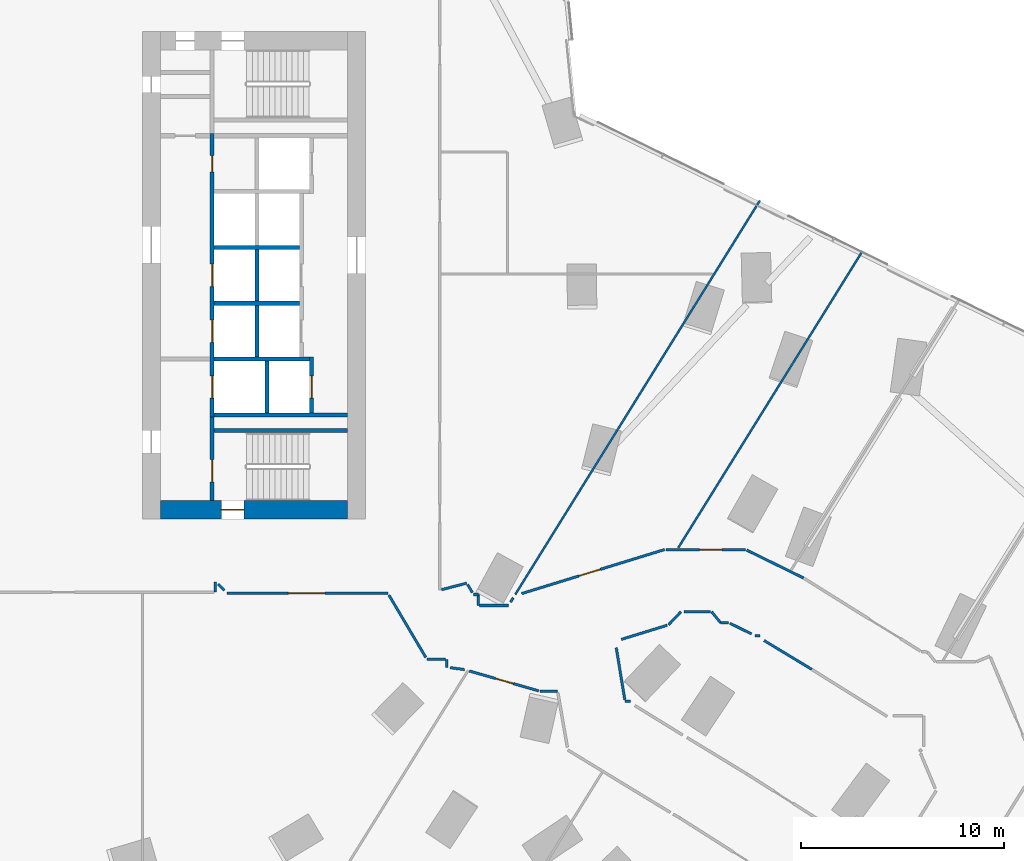
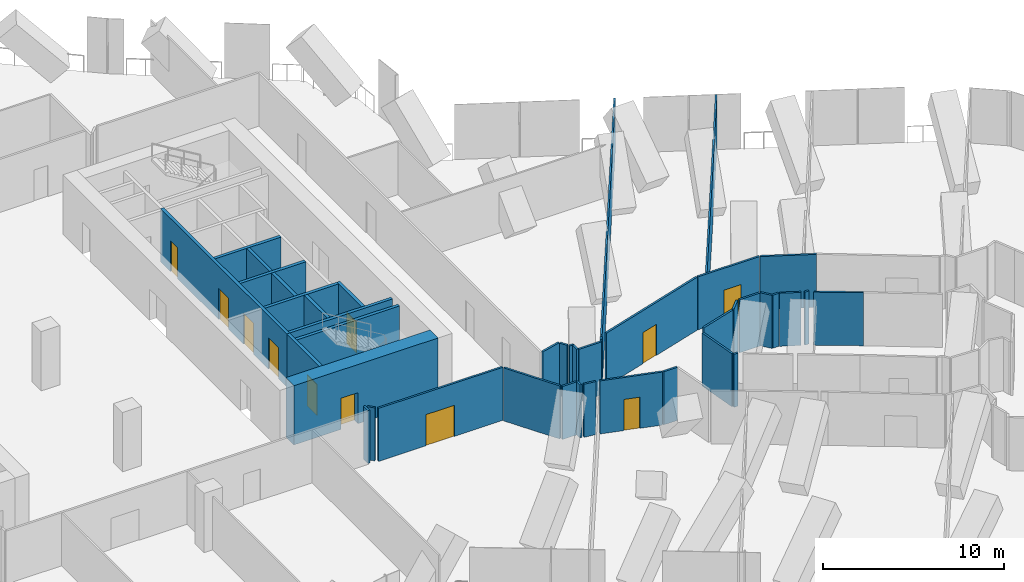
# One storey, part 26 of 31: 42 walls, 11 doors, 11 openings.
"""IFC4 building model written with IfcOpenShell, lengths in metres."""

from ifc_helpers import new_model, si_unit, direction, frame, frame_2d, origin, place, context, subcontext, project, spatial, rectangle, extrude, material, layer, layer_set, type_object, element, fill, save


model = new_model("IFC4")

# Units and contexts
model_context = context("Model", 3, precision=1e-05, world=origin(), true_north=direction((0.0, 1.0)))
body_context = subcontext(model_context, "Body", "Model", "MODEL_VIEW")
ifc_project = project(units=[si_unit("LENGTHUNIT", "METRE"), si_unit("AREAUNIT", "SQUARE_METRE"), si_unit("VOLUMEUNIT", "CUBIC_METRE"), si_unit("PLANEANGLEUNIT", "RADIAN"), si_unit("MASSUNIT", "GRAM", prefix="KILO")], contexts=[model_context])

# Site, building, storey
site_placement = place(None, origin())
site = spatial("IfcSite", under=ifc_project, at=site_placement, CompositionType="ELEMENT")
building_placement = place(site_placement, origin())
building = spatial("IfcBuilding", under=site, at=building_placement, Name="Orlundy Tower", CompositionType="ELEMENT")
storey_placement = place(building_placement, frame((0.0, 0.0, 54.800048828125)))
storey = spatial("IfcBuildingStorey", under=building, at=storey_placement, Name="L12", CompositionType="ELEMENT", Elevation=54.800048828125)

# Wall, opening, door
ifc_material_1 = material(Name="Concrete C80/95", Category="concrete")
ifc_layer_1 = layer(ifc_material_1, 0.89990234375)
ifc_layer_set_1 = layer_set([ifc_layer_1], Name="CORE WALL 900 C80/95")
wall_type_1 = type_object("IfcWallType", Name="CORE WALL 900 C80/95", PredefinedType="SHEAR", material=ifc_layer_set_1)
wall_1_placement = place(storey_placement, frame((8.89990234375, -11.550048828125, 0.0), z_axis=(0.0, 0.0, 1.0), x_axis=(1.0, 0.0, 0.0)))
wall_1 = element("IfcWall", 1, at=wall_1_placement, inside=storey, type_object=wall_type_1, Name="Core wall E-S L12", PredefinedType="SHEAR", context=body_context, shape_type="SweptSolid", body=[
    extrude(rectangle(XDim=9.2001953125, YDim=0.89990234375, at=frame_2d((4.60009765625, 0.0))), origin(), (0.0, 0.0, 1.0), 4.0),
])
opening_1_placement = place(wall_1_placement, frame((3.0, 0.0, 0.0)))
opening_1 = element("IfcOpeningElement", 2, at=opening_1_placement, cuts=wall_1, Name="Opening 11061", PredefinedType="OPENING", context=body_context, shape_type="SweptSolid", body=[
    extrude(rectangle(XDim=1.10009765625, YDim=2.10009765625, at=frame_2d((0.550048828125, 1.050048828125))), frame((0.0, 0.4599609375, 0.0), z_axis=(0.0, -1.0, 0.0), x_axis=(1.0, 0.0, 0.0)), (0.0, 0.0, 1.0), 0.919921875),
])
ifc_material_2 = material(Name="Steel door set", Category="steel")
door_type_1 = type_object("IfcDoorType", Name="Stair Door 1100x2100", OperationType="SINGLE_SWING_LEFT", PredefinedType="DOOR", material=ifc_material_2)
door_1_placement = place(opening_1_placement, origin())
door_1 = element("IfcDoor", 3, at=door_1_placement, inside=storey, type_object=door_type_1, Name="Stair door 11061", OperationType="SINGLE_SWING_LEFT", OverallHeight=2.10009765625, OverallWidth=1.10009765625, PredefinedType="DOOR", context=body_context, shape_type="SweptSolid", body=[
    extrude(rectangle(XDim=1.10009765625, YDim=2.10009765625, at=frame_2d((0.550048828125, 1.050048828125))), frame((0.0, 0.02490234375, 0.0), z_axis=(0.0, -1.0, 0.0), x_axis=(1.0, 0.0, 0.0)), (0.0, 0.0, 1.0), 0.050048828125),
])
fill(opening_1, door_1)

# Walls
ifc_material_3 = material(Name="Gypsum board partition")
ifc_layer_2 = layer(ifc_material_3, 0.10009765625)
ifc_layer_set_2 = layer_set([ifc_layer_2], Name="Floor partition 100")
wall_type_2 = type_object("IfcWallType", Name="Floor partition 100", PredefinedType="PARTITIONING", material=ifc_layer_set_2)
wall_2_placement = place(storey_placement, frame((34.39697265625, -13.416015625, 0.0), z_axis=(0.0, 0.0, 1.0), x_axis=(0.527477648144, 0.849568908746, 0.0)))
element("IfcWall", 4, at=wall_2_placement, inside=storey, type_object=wall_type_2, Name="wall-int-L12-128", PredefinedType="PARTITIONING", context=body_context, shape_type="SweptSolid", body=[
    extrude(rectangle(XDim=17.206298828125, YDim=0.10009765625, at=frame_2d((8.60302734375, 0.0))), origin(), (0.0, 0.0, 1.0), 3.579833984375),
])
wall_3_placement = place(storey_placement, frame((26.367919921875, -15.718994140625, 0.0), z_axis=(0.0, 0.0, 1.0), x_axis=(0.527457310134, 0.849581535808, 0.0)))
element("IfcWall", 5, at=wall_3_placement, inside=storey, type_object=wall_type_2, Name="wall-int-L12-131", PredefinedType="PARTITIONING", context=body_context, shape_type="SweptSolid", body=[
    extrude(rectangle(XDim=22.841796875, YDim=0.10009765625, at=frame_2d((11.4208984375, 0.0))), origin(), (0.0, 0.0, 1.0), 3.579833984375),
])
ifc_material_4 = material(Name="Gypsum board partition, double layer")
ifc_layer_3 = layer(ifc_material_4, 0.125)
ifc_layer_set_3 = layer_set([ifc_layer_3], Name="Floor partition 125")
wall_type_3 = type_object("IfcWallType", Name="Floor partition 125", PredefinedType="PARTITIONING", material=ifc_layer_set_3)
wall_4_placement = place(storey_placement, frame((31.341064453125, -18.339111328125, 0.0), z_axis=(0.0, 0.0, 1.0), x_axis=(0.163028246139, -0.986621402039, 0.0)))
element("IfcWall", 6, at=wall_4_placement, inside=storey, type_object=wall_type_3, Name="wall-int-L12-005", PredefinedType="PARTITIONING", context=body_context, shape_type="SweptSolid", body=[
    extrude(rectangle(XDim=2.599609375, YDim=0.125, at=frame_2d((1.2998046875, 0.0))), origin(), (0.0, 0.0, 1.0), 3.579833984375),
])
wall_5_placement = place(storey_placement, frame((20.14501953125, -15.7451171875, 0.0), z_axis=(0.0, 0.0, 1.0), x_axis=(0.509399422691, -0.860530201772, 0.0)))
element("IfcWall", 7, at=wall_5_placement, inside=storey, type_object=wall_type_3, Name="wall-int-L12-012", PredefinedType="PARTITIONING", context=body_context, shape_type="SweptSolid", body=[
    extrude(rectangle(XDim=3.571044921875, YDim=0.125, at=frame_2d((1.78564453125, 0.0))), origin(), (0.0, 0.0, 1.0), 3.579833984375),
])
wall_6_placement = place(storey_placement, frame((24.02392578125, -15.22998046875, 0.0), z_axis=(0.0, 0.0, 1.0), x_axis=(0.511446511309, -0.859315114536, 0.0)))
element("IfcWall", 8, at=wall_6_placement, inside=storey, type_object=wall_type_3, Name="wall-int-L12-013", PredefinedType="PARTITIONING", context=body_context, shape_type="SweptSolid", body=[
    extrude(rectangle(XDim=0.459716796875, YDim=0.125, at=frame_2d((0.22998046875, 0.0))), origin(), (0.0, 0.0, 1.0), 3.579833984375),
])
wall_7_placement = place(storey_placement, frame((11.72998046875, -15.20703125, 0.0), z_axis=(0.0, 0.0, 1.0), x_axis=(0.707106781187, -0.707106781187, 0.0)))
element("IfcWall", 9, at=wall_7_placement, inside=storey, type_object=wall_type_3, Name="wall-int-L12-024", PredefinedType="PARTITIONING", context=body_context, shape_type="SweptSolid", body=[
    extrude(rectangle(XDim=0.44677734375, YDim=0.125, at=frame_2d((0.223388671875, 0.0))), origin(), (0.0, 0.0, 1.0), 3.579833984375),
])
wall_8_placement = place(storey_placement, frame((40.971923828125, -19.405029296875, 0.0), z_axis=(0.0, 0.0, 1.0), x_axis=(-0.8557851023, 0.517331478534, 0.0)))
element("IfcWall", 10, at=wall_8_placement, inside=storey, type_object=wall_type_3, Name="wall-int-L12-031", PredefinedType="PARTITIONING", context=body_context, shape_type="SweptSolid", body=[
    extrude(rectangle(XDim=2.74462890625, YDim=0.125, at=frame_2d((1.372314453125, 0.0))), origin(), (0.0, 0.0, 1.0), 3.579833984375),
])
wall_9_placement = place(storey_placement, frame((36.93505859375, -17.134033203125, 0.0), z_axis=(0.0, 0.0, 1.0), x_axis=(0.897608509631, -0.440793561022, 0.0)))
element("IfcWall", 11, at=wall_9_placement, inside=storey, type_object=wall_type_3, Name="wall-int-L12-040", PredefinedType="PARTITIONING", context=body_context, shape_type="SweptSolid", body=[
    extrude(rectangle(XDim=1.1884765625, YDim=0.125, at=frame_2d((0.59423828125, 0.0))), origin(), (0.0, 0.0, 1.0), 3.579833984375),
])
wall_10_placement = place(storey_placement, frame((37.77099609375, -13.533935546875, 0.0), z_axis=(0.0, 0.0, 1.0), x_axis=(0.897726238761, -0.440553742738, 0.0)))
element("IfcWall", 12, at=wall_10_placement, inside=storey, type_object=wall_type_3, Name="wall-int-L12-041", PredefinedType="PARTITIONING", context=body_context, shape_type="SweptSolid", body=[
    extrude(rectangle(XDim=3.114501953125, YDim=0.125, at=frame_2d((1.55712890625, 0.0))), origin(), (0.0, 0.0, 1.0), 3.579833984375),
])

# Wall, opening, door
wall_11_placement = place(storey_placement, frame((27.51806640625, -20.464111328125, 0.0), z_axis=(0.0, 0.0, 1.0), x_axis=(-0.961227263948, 0.275757406143, 0.0)))
wall_11 = element("IfcWall", 13, at=wall_11_placement, inside=storey, type_object=wall_type_3, Name="wall-int-L12-043", PredefinedType="PARTITIONING", context=body_context, shape_type="SweptSolid", body=[
    extrude(rectangle(XDim=3.546630859375, YDim=0.125, at=frame_2d((1.7734375, 0.0))), origin(), (0.0, 0.0, 1.0), 3.579833984375),
])
opening_2_placement = place(wall_11_placement, frame((1.28759765625, 0.0, 0.0)))
opening_2 = element("IfcOpeningElement", 14, at=opening_2_placement, cuts=wall_11, Name="Opening 11106", PredefinedType="OPENING", context=body_context, shape_type="SweptSolid", body=[
    extrude(rectangle(XDim=0.89990234375, YDim=2.10009765625, at=frame_2d((0.449951171875, 1.050048828125))), frame((0.0, 0.072509765625, 0.0), z_axis=(0.0, -1.0, 0.0), x_axis=(1.0, 0.0, 0.0)), (0.0, 0.0, 1.0), 0.14501953125),
])
ifc_material_5 = material(Name="Timber door leaf", Category="wood")
door_type_2 = type_object("IfcDoorType", Name="Floor door single 900 FD30S", OperationType="NOTDEFINED", PredefinedType="DOOR", material=ifc_material_5)
door_2_placement = place(opening_2_placement, origin())
door_2 = element("IfcDoor", 15, at=door_2_placement, inside=storey, type_object=door_type_2, Name="Door 11106", OperationType="SINGLE_SWING_LEFT", OverallHeight=2.10009765625, OverallWidth=0.89990234375, PredefinedType="DOOR", context=body_context, shape_type="SweptSolid", body=[
    extrude(rectangle(XDim=0.89990234375, YDim=2.10009765625, at=frame_2d((0.449951171875, 1.050048828125))), frame((0.0, 0.02490234375, 0.0), z_axis=(0.0, -1.0, 0.0), x_axis=(1.0, 0.0, 0.0)), (0.0, 0.0, 1.0), 0.050048828125),
])
fill(opening_2, door_2)

# Walls
wall_12_placement = place(storey_placement, frame((23.1640625, -19.320068359375, 0.0), z_axis=(0.0, 0.0, 1.0), x_axis=(0.990549151852, -0.137158221648, 0.0)))
element("IfcWall", 16, at=wall_12_placement, inside=storey, type_object=wall_type_3, Name="wall-int-L12-048", PredefinedType="PARTITIONING", context=body_context, shape_type="SweptSolid", body=[
    extrude(rectangle(XDim=0.7138671875, YDim=0.125, at=frame_2d((0.35693359375, 0.0))), origin(), (0.0, 0.0, 1.0), 3.579833984375),
])
wall_13_placement = place(storey_placement, frame((31.77490234375, -20.966064453125, 0.0), z_axis=(0.0, 0.0, 1.0), x_axis=(1.0, 0.0, 0.0)))
element("IfcWall", 17, at=wall_13_placement, inside=storey, type_object=wall_type_3, Name="wall-int-L12-061", PredefinedType="PARTITIONING", context=body_context, shape_type="SweptSolid", body=[
    extrude(rectangle(XDim=0.26513671875, YDim=0.125, at=frame_2d((0.132568359375, 0.0))), origin(), (0.0, 0.0, 1.0), 3.579833984375),
])
wall_14_placement = place(storey_placement, frame((27.577880859375, -20.48095703125, 0.0), z_axis=(0.0, 0.0, 1.0), x_axis=(1.0, 0.0, 0.0)))
element("IfcWall", 18, at=wall_14_placement, inside=storey, type_object=wall_type_3, Name="wall-int-L12-062", PredefinedType="PARTITIONING", context=body_context, shape_type="SweptSolid", body=[
    extrude(rectangle(XDim=0.875, YDim=0.125, at=frame_2d((0.4375, 0.0))), origin(), (0.0, 0.0, 1.0), 3.579833984375),
])
wall_15_placement = place(storey_placement, frame((22.02001953125, -18.912109375, 0.0), z_axis=(0.0, 0.0, 1.0), x_axis=(1.0, 0.0, 0.0)))
element("IfcWall", 19, at=wall_15_placement, inside=storey, type_object=wall_type_3, Name="wall-int-L12-064", PredefinedType="PARTITIONING", context=body_context, shape_type="SweptSolid", body=[
    extrude(rectangle(XDim=0.902099609375, YDim=0.125, at=frame_2d((0.451171875, 0.0))), origin(), (0.0, 0.0, 1.0), 3.579833984375),
])
wall_16_placement = place(storey_placement, frame((38.173095703125, -17.741943359375, 0.0), z_axis=(0.0, 0.0, 1.0), x_axis=(1.0, 0.0, 0.0)))
element("IfcWall", 20, at=wall_16_placement, inside=storey, type_object=wall_type_3, Name="wall-int-L12-065", PredefinedType="PARTITIONING", context=body_context, shape_type="SweptSolid", body=[
    extrude(rectangle(XDim=0.2568359375, YDim=0.125, at=frame_2d((0.12841796875, 0.0))), origin(), (0.0, 0.0, 1.0), 3.579833984375),
])
wall_17_placement = place(storey_placement, frame((36.47705078125, -17.10595703125, 0.0), z_axis=(0.0, 0.0, 1.0), x_axis=(1.0, 0.0, 0.0)))
element("IfcWall", 21, at=wall_17_placement, inside=storey, type_object=wall_type_3, Name="wall-int-L12-066", PredefinedType="PARTITIONING", context=body_context, shape_type="SweptSolid", body=[
    extrude(rectangle(XDim=0.40185546875, YDim=0.125, at=frame_2d((0.200927734375, 0.0))), origin(), (0.0, 0.0, 1.0), 3.579833984375),
])
wall_18_placement = place(storey_placement, frame((34.674072265625, -16.56591796875, 0.0), z_axis=(0.0, 0.0, 1.0), x_axis=(1.0, 0.0, 0.0)))
element("IfcWall", 22, at=wall_18_placement, inside=storey, type_object=wall_type_3, Name="wall-int-L12-067", PredefinedType="PARTITIONING", context=body_context, shape_type="SweptSolid", body=[
    extrude(rectangle(XDim=1.300048828125, YDim=0.125, at=frame_2d((0.64990234375, 0.0))), origin(), (0.0, 0.0, 1.0), 3.579833984375),
])
wall_19_placement = place(storey_placement, frame((24.610107421875, -16.259033203125, 0.0), z_axis=(0.0, 0.0, 1.0), x_axis=(1.0, 0.0, 0.0)))
element("IfcWall", 23, at=wall_19_placement, inside=storey, type_object=wall_type_3, Name="wall-int-L12-068", PredefinedType="PARTITIONING", context=body_context, shape_type="SweptSolid", body=[
    extrude(rectangle(XDim=1.4228515625, YDim=0.125, at=frame_2d((0.71142578125, 0.0))), origin(), (0.0, 0.0, 1.0), 3.579833984375),
])
wall_20_placement = place(storey_placement, frame((24.31494140625, -15.718994140625, 0.0), z_axis=(0.0, 0.0, 1.0), x_axis=(1.0, 0.0, 0.0)))
element("IfcWall", 24, at=wall_20_placement, inside=storey, type_object=wall_type_3, Name="wall-int-L12-069", PredefinedType="PARTITIONING", context=body_context, shape_type="SweptSolid", body=[
    extrude(rectangle(XDim=0.233154296875, YDim=0.125, at=frame_2d((0.11669921875, 0.0))), origin(), (0.0, 0.0, 1.0), 3.579833984375),
])

# Wall, opening, door
wall_21_placement = place(storey_placement, frame((20.089111328125, -15.65087890625, 0.0), z_axis=(0.0, 0.0, 1.0), x_axis=(-1.0, 0.0, 0.0)))
wall_21 = element("IfcWall", 25, at=wall_21_placement, inside=storey, type_object=wall_type_3, Name="wall-int-L12-071", PredefinedType="PARTITIONING", context=body_context, shape_type="SweptSolid", body=[
    extrude(rectangle(XDim=7.92822265625, YDim=0.125, at=frame_2d((3.964111328125, 0.0))), origin(), (0.0, 0.0, 1.0), 3.579833984375),
])
opening_3_placement = place(wall_21_placement, frame((3.10009765625, 0.0, 0.0)))
opening_3 = element("IfcOpeningElement", 26, at=opening_3_placement, cuts=wall_21, Name="Opening 11121", PredefinedType="OPENING", context=body_context, shape_type="SweptSolid", body=[
    extrude(rectangle(XDim=1.800048828125, YDim=2.10009765625, at=frame_2d((0.89990234375, 1.050048828125))), frame((0.0, 0.072509765625, 0.0), z_axis=(0.0, -1.0, 0.0), x_axis=(1.0, 0.0, 0.0)), (0.0, 0.0, 1.0), 0.14501953125),
])
ifc_material_6 = material(Name="Timber door leaf", Category="wood")
door_type_3 = type_object("IfcDoorType", Name="Floor door double 1800 FD30S", OperationType="NOTDEFINED", PredefinedType="DOOR", material=ifc_material_6)
door_3_placement = place(opening_3_placement, origin())
door_3 = element("IfcDoor", 27, at=door_3_placement, inside=storey, type_object=door_type_3, Name="Door 11121", OperationType="DOUBLE_DOOR_SINGLE_SWING", OverallHeight=2.10009765625, OverallWidth=1.800048828125, PredefinedType="DOOR", context=body_context, shape_type="SweptSolid", body=[
    extrude(rectangle(XDim=1.800048828125, YDim=2.10009765625, at=frame_2d((0.89990234375, 1.050048828125))), frame((0.0, 0.02490234375, 0.0), z_axis=(0.0, -1.0, 0.0), x_axis=(1.0, 0.0, 0.0)), (0.0, 0.0, 1.0), 0.050048828125),
])
fill(opening_3, door_3)

wall_22_placement = place(storey_placement, frame((33.781982421875, -13.5048828125, 0.0), z_axis=(0.0, 0.0, 1.0), x_axis=(1.0, 0.0, 0.0)))
wall_22 = element("IfcWall", 28, at=wall_22_placement, inside=storey, type_object=wall_type_3, Name="wall-int-L12-073", PredefinedType="PARTITIONING", context=body_context, shape_type="SweptSolid", body=[
    extrude(rectangle(XDim=3.93310546875, YDim=0.125, at=frame_2d((1.966552734375, 0.0))), origin(), (0.0, 0.0, 1.0), 3.579833984375),
])
opening_4_placement = place(wall_22_placement, frame((1.660400390625, 0.0, 0.0)))
opening_4 = element("IfcOpeningElement", 29, at=opening_4_placement, cuts=wall_22, Name="Opening 11101", PredefinedType="OPENING", context=body_context, shape_type="SweptSolid", body=[
    extrude(rectangle(XDim=1.10009765625, YDim=2.10009765625, at=frame_2d((0.550048828125, 1.050048828125))), frame((0.0, 0.072509765625, 0.0), z_axis=(0.0, -1.0, 0.0), x_axis=(1.0, 0.0, 0.0)), (0.0, 0.0, 1.0), 0.14501953125),
])
ifc_material_7 = material(Name="Timber door leaf", Category="wood")
door_type_4 = type_object("IfcDoorType", Name="Floor door xwide 1100 FD30S", OperationType="NOTDEFINED", PredefinedType="DOOR", material=ifc_material_7)
door_4_placement = place(opening_4_placement, origin())
door_4 = element("IfcDoor", 30, at=door_4_placement, inside=storey, type_object=door_type_4, Name="Door 11101", OperationType="SINGLE_SWING_RIGHT", OverallHeight=2.10009765625, OverallWidth=1.10009765625, PredefinedType="DOOR", context=body_context, shape_type="SweptSolid", body=[
    extrude(rectangle(XDim=1.10009765625, YDim=2.10009765625, at=frame_2d((0.550048828125, 1.050048828125))), frame((0.0, 0.02490234375, 0.0), z_axis=(0.0, -1.0, 0.0), x_axis=(1.0, 0.0, 0.0)), (0.0, 0.0, 1.0), 0.050048828125),
])
fill(opening_4, door_4)

# Walls
wall_23_placement = place(storey_placement, frame((22.735107421875, -15.48193359375, 0.0), z_axis=(0.0, 0.0, 1.0), x_axis=(0.968031213417, 0.250829762688, 0.0)))
element("IfcWall", 31, at=wall_23_placement, inside=storey, type_object=wall_type_3, Name="wall-int-L12-083", PredefinedType="PARTITIONING", context=body_context, shape_type="SweptSolid", body=[
    extrude(rectangle(XDim=1.280029296875, YDim=0.125, at=frame_2d((0.64013671875, 0.0))), origin(), (0.0, 0.0, 1.0), 3.579833984375),
])
wall_24_placement = place(storey_placement, frame((31.595947265625, -17.927978515625, 0.0), z_axis=(0.0, 0.0, 1.0), x_axis=(0.95559332345, 0.294688649557, 0.0)))
element("IfcWall", 32, at=wall_24_placement, inside=storey, type_object=wall_type_3, Name="wall-int-L12-085", PredefinedType="PARTITIONING", context=body_context, shape_type="SweptSolid", body=[
    extrude(rectangle(XDim=2.362060546875, YDim=0.125, at=frame_2d((1.18115234375, 0.0))), origin(), (0.0, 0.0, 1.0), 3.579833984375),
])

# Wall, opening, door
wall_25_placement = place(storey_placement, frame((26.678955078125, -15.675048828125, 0.0), z_axis=(0.0, 0.0, 1.0), x_axis=(0.955672893263, 0.294430502974, 0.0)))
wall_25 = element("IfcWall", 33, at=wall_25_placement, inside=storey, type_object=wall_type_3, Name="wall-int-L12-086", PredefinedType="PARTITIONING", context=body_context, shape_type="SweptSolid", body=[
    extrude(rectangle(XDim=7.36669921875, YDim=0.125, at=frame_2d((3.683349609375, 0.0))), origin(), (0.0, 0.0, 1.0), 3.579833984375),
])
opening_5_placement = place(wall_25_placement, frame((2.951904296875, 0.0, 0.0)))
opening_5 = element("IfcOpeningElement", 34, at=opening_5_placement, cuts=wall_25, Name="Opening 11100", PredefinedType="OPENING", context=body_context, shape_type="SweptSolid", body=[
    extrude(rectangle(XDim=1.10009765625, YDim=2.10009765625, at=frame_2d((0.550048828125, 1.050048828125))), frame((0.0, 0.072509765625, 0.0), z_axis=(0.0, -1.0, 0.0), x_axis=(1.0, 0.0, 0.0)), (0.0, 0.0, 1.0), 0.14501953125),
])
door_5_placement = place(opening_5_placement, origin())
door_5 = element("IfcDoor", 35, at=door_5_placement, inside=storey, type_object=door_type_4, Name="Door 11100", OperationType="SINGLE_SWING_LEFT", OverallHeight=2.10009765625, OverallWidth=1.10009765625, PredefinedType="DOOR", context=body_context, shape_type="SweptSolid", body=[
    extrude(rectangle(XDim=1.10009765625, YDim=2.10009765625, at=frame_2d((0.550048828125, 1.050048828125))), frame((0.0, 0.02490234375, 0.0), z_axis=(0.0, -1.0, 0.0), x_axis=(1.0, 0.0, 0.0)), (0.0, 0.0, 1.0), 0.050048828125),
])
fill(opening_5, door_5)

# Walls
wall_26_placement = place(storey_placement, frame((33.9140625, -17.214111328125, 0.0), z_axis=(0.0, 0.0, 1.0), x_axis=(0.68828255524, 0.725442709076, 0.0)))
element("IfcWall", 36, at=wall_26_placement, inside=storey, type_object=wall_type_3, Name="wall-int-L12-114", PredefinedType="PARTITIONING", context=body_context, shape_type="SweptSolid", body=[
    extrude(rectangle(XDim=0.8935546875, YDim=0.125, at=frame_2d((0.44677734375, 0.0))), origin(), (0.0, 0.0, 1.0), 3.579833984375),
])
wall_27_placement = place(storey_placement, frame((26.134033203125, -16.096923828125, 0.0), z_axis=(0.0, 0.0, 1.0), x_axis=(0.52648571084, 0.850183977902, 0.0)))
element("IfcWall", 37, at=wall_27_placement, inside=storey, type_object=wall_type_3, Name="wall-int-L12-130", PredefinedType="PARTITIONING", context=body_context, shape_type="SweptSolid", body=[
    extrude(rectangle(XDim=0.25634765625, YDim=0.125, at=frame_2d((0.128173828125, 0.0))), origin(), (0.0, 0.0, 1.0), 3.579833984375),
])
wall_28_placement = place(storey_placement, frame((36.47705078125, -17.10595703125, 0.0), z_axis=(0.0, 0.0, 1.0), x_axis=(-0.631594931401, 0.775298550643, 0.0)))
element("IfcWall", 38, at=wall_28_placement, inside=storey, type_object=wall_type_3, Name="wall-int-L12-141", PredefinedType="PARTITIONING", context=body_context, shape_type="SweptSolid", body=[
    extrude(rectangle(XDim=0.696533203125, YDim=0.125, at=frame_2d((0.34814453125, 0.0))), origin(), (0.0, 0.0, 1.0), 3.579833984375),
])
wall_29_placement = place(storey_placement, frame((24.548095703125, -16.259033203125, 0.0), z_axis=(0.0, 0.0, 1.0), x_axis=(0.0, 1.0, 0.0)))
element("IfcWall", 39, at=wall_29_placement, inside=storey, type_object=wall_type_3, Name="wall-int-L12-143", PredefinedType="PARTITIONING", context=body_context, shape_type="SweptSolid", body=[
    extrude(rectangle(XDim=0.5400390625, YDim=0.125, at=frame_2d((0.27001953125, 0.0))), origin(), (0.0, 0.0, 1.0), 3.579833984375),
])
wall_30_placement = place(storey_placement, frame((22.98388671875, -19.320068359375, 0.0), z_axis=(0.0, 0.0, 1.0), x_axis=(0.0, 1.0, 0.0)))
element("IfcWall", 40, at=wall_30_placement, inside=storey, type_object=wall_type_3, Name="wall-int-L12-144", PredefinedType="PARTITIONING", context=body_context, shape_type="SweptSolid", body=[
    extrude(rectangle(XDim=0.407958984375, YDim=0.125, at=frame_2d((0.2041015625, 0.0))), origin(), (0.0, 0.0, 1.0), 3.579833984375),
])
wall_31_placement = place(storey_placement, frame((11.60107421875, -15.60009765625, 0.0), z_axis=(0.0, 0.0, 1.0), x_axis=(0.0, 1.0, 0.0)))
element("IfcWall", 41, at=wall_31_placement, inside=storey, type_object=wall_type_3, Name="wall-int-L12-147", PredefinedType="PARTITIONING", context=body_context, shape_type="SweptSolid", body=[
    extrude(rectangle(XDim=0.508056640625, YDim=0.125, at=frame_2d((0.25390625, 0.0))), origin(), (0.0, 0.0, 1.0), 3.579833984375),
])

# Wall, opening, door
ifc_material_8 = material(Name="Concrete C40/50", Category="concrete")
ifc_layer_4 = layer(ifc_material_8, 0.199951171875)
ifc_layer_set_4 = layer_set([ifc_layer_4], Name="Load-bearing Shaft Wall 200")
wall_type_4 = type_object("IfcWallType", Name="Load-bearing Shaft Wall 200", PredefinedType="SOLIDWALL", material=ifc_layer_set_4)
wall_32_placement = place(storey_placement, frame((11.43994140625, -6.97509765625, 0.0), z_axis=(0.0, 0.0, 1.0), x_axis=(0.0, -1.0, 0.0)))
wall_32 = element("IfcWall", 42, at=wall_32_placement, inside=storey, type_object=wall_type_4, Name="Shaft wall E11-stair-end-n", PredefinedType="SOLIDWALL", context=body_context, shape_type="SweptSolid", body=[
    extrude(rectangle(XDim=4.125, YDim=0.199951171875, at=frame_2d((2.0625, 0.0))), origin(), (0.0, 0.0, 1.0), 3.58984375),
])
opening_6_placement = place(wall_32_placement, frame((2.10009765625, 0.0, 0.0)))
opening_6 = element("IfcOpeningElement", 43, at=opening_6_placement, cuts=wall_32, Name="Opening 11063", PredefinedType="OPENING", context=body_context, shape_type="SweptSolid", body=[
    extrude(rectangle(XDim=1.10009765625, YDim=2.10009765625, at=frame_2d((0.550048828125, 1.050048828125))), frame((0.0, 0.110107421875, 0.0), z_axis=(0.0, -1.0, 0.0), x_axis=(1.0, 0.0, 0.0)), (0.0, 0.0, 1.0), 0.22021484375),
])
ifc_material_9 = material(Name="Steel door set", Category="steel")
door_type_5 = type_object("IfcDoorType", Name="Fire-fighting Lobby Door 1100x2100", OperationType="SINGLE_SWING_LEFT", PredefinedType="DOOR", material=ifc_material_9)
door_6_placement = place(opening_6_placement, origin())
door_6 = element("IfcDoor", 44, at=door_6_placement, inside=storey, type_object=door_type_5, Name="Fire-fighting lobby to stair door 11063", OperationType="SINGLE_SWING_RIGHT", OverallHeight=2.10009765625, OverallWidth=1.10009765625, PredefinedType="DOOR", context=body_context, shape_type="SweptSolid", body=[
    extrude(rectangle(XDim=1.10009765625, YDim=2.10009765625, at=frame_2d((0.550048828125, 1.050048828125))), frame((0.0, 0.02490234375, 0.0), z_axis=(0.0, -1.0, 0.0), x_axis=(1.0, 0.0, 0.0)), (0.0, 0.0, 1.0), 0.050048828125),
])
fill(opening_6, door_6)

# Walls
wall_33_placement = place(storey_placement, frame((11.5400390625, -7.64990234375, 0.0), z_axis=(0.0, 0.0, 1.0), x_axis=(1.0, 0.0, 0.0)))
element("IfcWall", 45, at=wall_33_placement, inside=storey, type_object=wall_type_4, Name="Shaft wall E11-stair-side-n", PredefinedType="SOLIDWALL", context=body_context, shape_type="SweptSolid", body=[
    extrude(rectangle(XDim=6.56005859375, YDim=0.199951171875, at=frame_2d((3.280029296875, 0.0))), origin(), (0.0, 0.0, 1.0), 3.58984375),
])
ifc_material_10 = material(Name="Fire-rated blockwork shaft wall", Category="masonry")
ifc_layer_5 = layer(ifc_material_10, 0.199951171875)
ifc_layer_set_5 = layer_set([ifc_layer_5], Name="Shaft Wall 200")
wall_type_5 = type_object("IfcWallType", Name="Shaft Wall 200", PredefinedType="SOLIDWALL", material=ifc_layer_set_5)
wall_34_placement = place(storey_placement, frame((11.5400390625, -6.875, 0.0), z_axis=(0.0, 0.0, 1.0), x_axis=(1.0, 0.0, 0.0)))
element("IfcWall", 46, at=wall_34_placement, inside=storey, type_object=wall_type_5, Name="Shaft wall E11-zone-n", PredefinedType="SOLIDWALL", context=body_context, shape_type="SweptSolid", body=[
    extrude(rectangle(XDim=6.56005859375, YDim=0.199951171875, at=frame_2d((3.280029296875, 0.0))), origin(), (0.0, 0.0, 1.0), 3.58984375),
])
for number, where, z_axis, x_axis, name in (
    (47, (11.5400390625, 1.375, 0.0), (0.0, 0.0, 1.0), (1.0, 0.0, 0.0), "Shaft wall E11-cross-1.375"),
    (48, (11.5400390625, -1.375, 0.0), (0.0, 0.0, 1.0), (1.0, 0.0, 0.0), "Shaft wall E11-cross+1.375"),
):
    element("IfcWall", number, at=place(storey_placement, frame(where, z_axis=z_axis, x_axis=x_axis)), inside=storey, type_object=wall_type_5, Name=name, PredefinedType="SOLIDWALL", context=body_context, shape_type="SweptSolid", body=[
        extrude(rectangle(XDim=4.199951171875, YDim=0.199951171875, at=frame_2d((2.10009765625, 0.0))), origin(), (0.0, 0.0, 1.0), 3.58984375),
    ])
wall_35_placement = place(storey_placement, frame((11.5400390625, -4.125, 0.0), z_axis=(0.0, 0.0, 1.0), x_axis=(1.0, 0.0, 0.0)))
element("IfcWall", 49, at=wall_35_placement, inside=storey, type_object=wall_type_5, Name="Shaft wall E11-cross+4.125", PredefinedType="SOLIDWALL", context=body_context, shape_type="SweptSolid", body=[
    extrude(rectangle(XDim=4.699951171875, YDim=0.199951171875, at=frame_2d((2.35009765625, 0.0))), origin(), (0.0, 0.0, 1.0), 3.58984375),
])

# Wall, openings, doors
wall_36_placement = place(storey_placement, frame((11.43994140625, 6.97509765625, 0.0), z_axis=(0.0, 0.0, 1.0), x_axis=(0.0, -1.0, 0.0)))
wall_36 = element("IfcWall", 50, at=wall_36_placement, inside=storey, type_object=wall_type_5, Name="Shaft wall E11-front-h", PredefinedType="SOLIDWALL", context=body_context, shape_type="SweptSolid", body=[
    extrude(rectangle(XDim=13.9501953125, YDim=0.199951171875, at=frame_2d((6.97509765625, 0.0))), origin(), (0.0, 0.0, 1.0), 3.58984375),
])
opening_7_placement = place(wall_36_placement, frame((6.425048828125, 0.0, 0.0)))
opening_7 = element("IfcOpeningElement", 51, at=opening_7_placement, cuts=wall_36, Name="Opening 11051", PredefinedType="OPENING", context=body_context, shape_type="SweptSolid", body=[
    extrude(rectangle(XDim=1.10009765625, YDim=2.10009765625, at=frame_2d((0.550048828125, 1.050048828125))), frame((0.0, 0.110107421875, 0.0), z_axis=(0.0, -1.0, 0.0), x_axis=(1.0, 0.0, 0.0)), (0.0, 0.0, 1.0), 0.22021484375),
])
opening_8_placement = place(wall_36_placement, frame((9.175048828125, 0.0, 0.0)))
opening_8 = element("IfcOpeningElement", 52, at=opening_8_placement, cuts=wall_36, Name="Opening 11053", PredefinedType="OPENING", context=body_context, shape_type="SweptSolid", body=[
    extrude(rectangle(XDim=1.10009765625, YDim=2.10009765625, at=frame_2d((0.550048828125, 1.050048828125))), frame((0.0, 0.110107421875, 0.0), z_axis=(0.0, -1.0, 0.0), x_axis=(1.0, 0.0, 0.0)), (0.0, 0.0, 1.0), 0.22021484375),
])
opening_9_placement = place(wall_36_placement, frame((11.925048828125, 0.0, 0.0)))
opening_9 = element("IfcOpeningElement", 53, at=opening_9_placement, cuts=wall_36, Name="Opening 11055", PredefinedType="OPENING", context=body_context, shape_type="SweptSolid", body=[
    extrude(rectangle(XDim=1.10009765625, YDim=2.10009765625, at=frame_2d((0.550048828125, 1.050048828125))), frame((0.0, 0.110107421875, 0.0), z_axis=(0.0, -1.0, 0.0), x_axis=(1.0, 0.0, 0.0)), (0.0, 0.0, 1.0), 0.22021484375),
])
opening_10_placement = place(wall_36_placement, frame((1.074951171875, 0.0, 0.0)))
opening_10 = element("IfcOpeningElement", 54, at=opening_10_placement, cuts=wall_36, Name="Opening 11057", PredefinedType="OPENING", context=body_context, shape_type="SweptSolid", body=[
    extrude(rectangle(XDim=0.800048828125, YDim=2.10009765625, at=frame_2d((0.39990234375, 1.050048828125))), frame((0.0, 0.110107421875, 0.0), z_axis=(0.0, -1.0, 0.0), x_axis=(1.0, 0.0, 0.0)), (0.0, 0.0, 1.0), 0.22021484375),
])
ifc_material_11 = material(Name="Steel door set", Category="steel")
door_type_6 = type_object("IfcDoorType", Name="Landing Door 1100x2100", OperationType="DOUBLE_DOOR_SLIDING", PredefinedType="DOOR", material=ifc_material_11)
door_7_placement = place(opening_7_placement, origin())
door_7 = element("IfcDoor", 55, at=door_7_placement, inside=storey, type_object=door_type_6, Name="Lift landing door LP-10 11051", OperationType="DOUBLE_DOOR_SLIDING", OverallHeight=2.10009765625, OverallWidth=1.10009765625, PredefinedType="DOOR", context=body_context, shape_type="SweptSolid", body=[
    extrude(rectangle(XDim=1.10009765625, YDim=2.10009765625, at=frame_2d((0.550048828125, 1.050048828125))), frame((0.0, 0.02490234375, 0.0), z_axis=(0.0, -1.0, 0.0), x_axis=(1.0, 0.0, 0.0)), (0.0, 0.0, 1.0), 0.050048828125),
])
fill(opening_7, door_7)
door_8_placement = place(opening_8_placement, origin())
door_8 = element("IfcDoor", 56, at=door_8_placement, inside=storey, type_object=door_type_6, Name="Lift landing door LP-07 11053", OperationType="DOUBLE_DOOR_SLIDING", OverallHeight=2.10009765625, OverallWidth=1.10009765625, PredefinedType="DOOR", context=body_context, shape_type="SweptSolid", body=[
    extrude(rectangle(XDim=1.10009765625, YDim=2.10009765625, at=frame_2d((0.550048828125, 1.050048828125))), frame((0.0, 0.02490234375, 0.0), z_axis=(0.0, -1.0, 0.0), x_axis=(1.0, 0.0, 0.0)), (0.0, 0.0, 1.0), 0.050048828125),
])
fill(opening_8, door_8)
door_9_placement = place(opening_9_placement, origin())
door_9 = element("IfcDoor", 57, at=door_9_placement, inside=storey, type_object=door_type_6, Name="Lift landing door FL2 11055", OperationType="DOUBLE_DOOR_SLIDING", OverallHeight=2.10009765625, OverallWidth=1.10009765625, PredefinedType="DOOR", context=body_context, shape_type="SweptSolid", body=[
    extrude(rectangle(XDim=1.10009765625, YDim=2.10009765625, at=frame_2d((0.550048828125, 1.050048828125))), frame((0.0, 0.02490234375, 0.0), z_axis=(0.0, -1.0, 0.0), x_axis=(1.0, 0.0, 0.0)), (0.0, 0.0, 1.0), 0.050048828125),
])
fill(opening_9, door_9)
ifc_material_12 = material(Name="Timber door set", Category="wood")
door_type_7 = type_object("IfcDoorType", Name="Riser Door 800x2100", OperationType="SINGLE_SWING_LEFT", PredefinedType="DOOR", material=ifc_material_12)
door_10_placement = place(opening_10_placement, origin())
door_10 = element("IfcDoor", 58, at=door_10_placement, inside=storey, type_object=door_type_7, Name="Telecom Room door 11057", OperationType="SINGLE_SWING_LEFT", OverallHeight=2.10009765625, OverallWidth=0.800048828125, PredefinedType="DOOR", context=body_context, shape_type="SweptSolid", body=[
    extrude(rectangle(XDim=0.800048828125, YDim=2.10009765625, at=frame_2d((0.39990234375, 1.050048828125))), frame((0.0, 0.02490234375, 0.0), z_axis=(0.0, -1.0, 0.0), x_axis=(1.0, 0.0, 0.0)), (0.0, 0.0, 1.0), 0.050048828125),
])
fill(opening_10, door_10)

# Walls
for number, where, z_axis, x_axis, name in (
    (59, (13.639892578125, 1.27490234375, 0.0), (0.0, 0.0, 1.0), (0.0, -1.0, 0.0), "Shaft wall E11-mid-a.2"),
    (60, (13.639892578125, -1.47509765625, 0.0), (0.0, 0.0, 1.0), (0.0, -1.0, 0.0), "Shaft wall E11-mid-a.3"),
    (61, (14.139892578125, -4.22509765625, 0.0), (0.0, 0.0, 1.0), (0.0, -1.0, 0.0), "Shaft wall E11-mid-b"),
):
    element("IfcWall", number, at=place(storey_placement, frame(where, z_axis=z_axis, x_axis=x_axis)), inside=storey, type_object=wall_type_5, Name=name, PredefinedType="SOLIDWALL", context=body_context, shape_type="SweptSolid", body=[
        extrude(rectangle(XDim=2.5498046875, YDim=0.199951171875, at=frame_2d((1.27490234375, 0.0))), origin(), (0.0, 0.0, 1.0), 3.58984375),
    ])

# Wall, opening, door
wall_37_placement = place(storey_placement, frame((16.340087890625, -4.02490234375, 0.0), z_axis=(0.0, 0.0, 1.0), x_axis=(0.0, -1.0, 0.0)))
wall_37 = element("IfcWall", 62, at=wall_37_placement, inside=storey, type_object=wall_type_5, Name="Shaft wall E11-front-o-c", PredefinedType="SOLIDWALL", context=body_context, shape_type="SweptSolid", body=[
    extrude(rectangle(XDim=2.75, YDim=0.199951171875, at=frame_2d((1.375, 0.0))), origin(), (0.0, 0.0, 1.0), 3.58984375),
])
opening_11_placement = place(wall_37_placement, frame((0.925048828125, 0.0, 0.0)))
opening_11 = element("IfcOpeningElement", 63, at=opening_11_placement, cuts=wall_37, Name="Opening 11056", PredefinedType="OPENING", context=body_context, shape_type="SweptSolid", body=[
    extrude(rectangle(XDim=1.10009765625, YDim=2.10009765625, at=frame_2d((0.550048828125, 1.050048828125))), frame((0.0, 0.110107421875, 0.0), z_axis=(0.0, -1.0, 0.0), x_axis=(1.0, 0.0, 0.0)), (0.0, 0.0, 1.0), 0.22021484375),
])
door_11_placement = place(opening_11_placement, origin())
door_11 = element("IfcDoor", 64, at=door_11_placement, inside=storey, type_object=door_type_6, Name="Lift landing door LP-09 11056", OperationType="DOUBLE_DOOR_SLIDING", OverallHeight=2.10009765625, OverallWidth=1.10009765625, PredefinedType="DOOR", context=body_context, shape_type="SweptSolid", body=[
    extrude(rectangle(XDim=1.10009765625, YDim=2.10009765625, at=frame_2d((0.550048828125, 1.050048828125))), frame((0.0, 0.02490234375, 0.0), z_axis=(0.0, -1.0, 0.0), x_axis=(1.0, 0.0, 0.0)), (0.0, 0.0, 1.0), 0.050048828125),
])
fill(opening_11, door_11)

save(model, "model.ifc")
